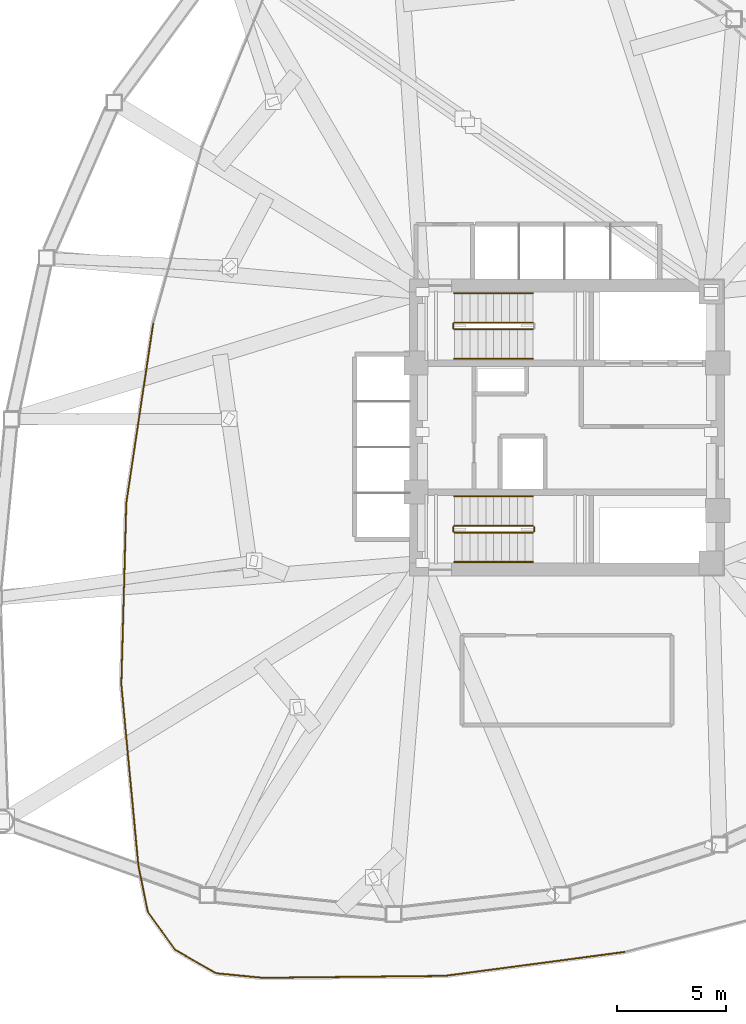
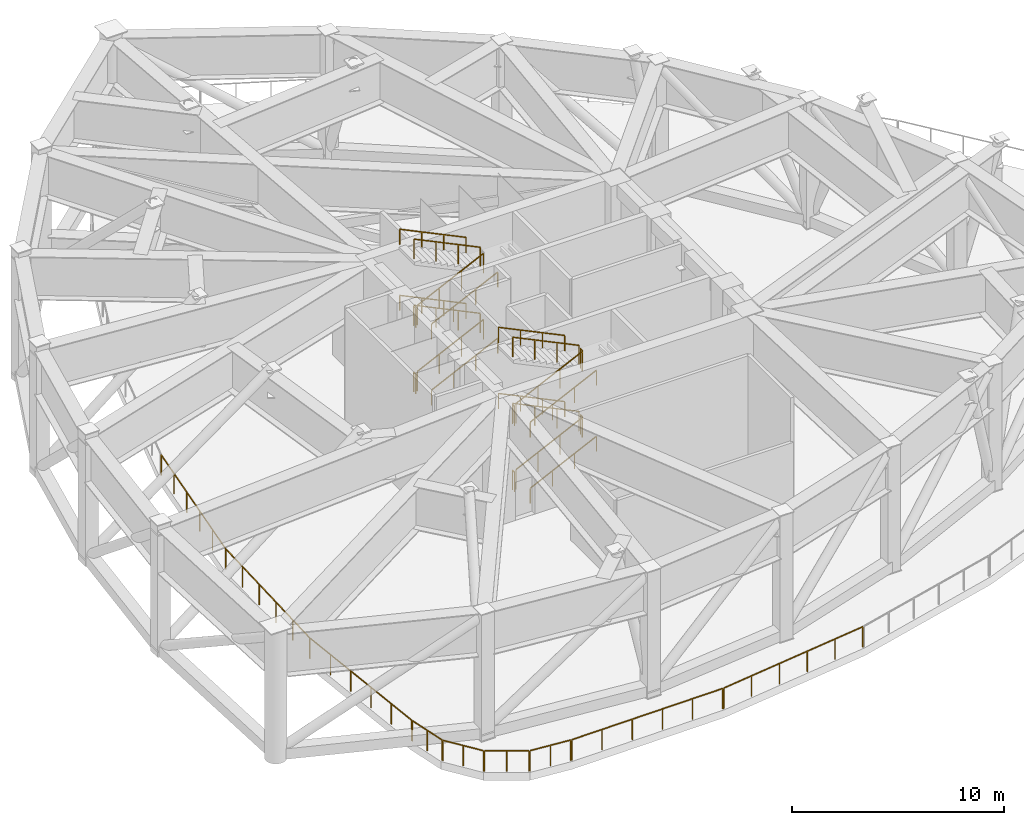
# One storey, part 6 of 8: 31 railings.
"""IFC4 building model written with IfcOpenShell, lengths in metres."""

from ifc_helpers import new_model, si_unit, direction, frame, origin, origin_2d, place, context, subcontext, project, spatial, rectangle, extrude, material, type_object, element, save


model = new_model("IFC4")

# Units and contexts
model_context = context("Model", 3, precision=1e-05, world=origin(), true_north=direction((0.0, 1.0)))
body_context = subcontext(model_context, "Body", "Model", "MODEL_VIEW")
ifc_project = project(units=[si_unit("LENGTHUNIT", "METRE"), si_unit("AREAUNIT", "SQUARE_METRE"), si_unit("VOLUMEUNIT", "CUBIC_METRE"), si_unit("PLANEANGLEUNIT", "RADIAN"), si_unit("MASSUNIT", "GRAM", prefix="KILO")], contexts=[model_context])

# Site, building, storey
site_placement = place(None, origin())
site = spatial("IfcSite", under=ifc_project, at=site_placement, CompositionType="ELEMENT")
building_placement = place(site_placement, origin())
building = spatial("IfcBuilding", under=site, at=building_placement, Name="Tavelor Broadcast Tower", CompositionType="ELEMENT")
storey_placement = place(building_placement, frame((0.0, 0.0, 102.800048828125)))
storey = spatial("IfcBuildingStorey", under=building, at=storey_placement, Name="L24", CompositionType="ELEMENT", Elevation=102.800048828125)

# Railings
ifc_material = material(Name="Steel S355", Category="steel")
railing_type_1 = type_object("IfcRailingType", Name="Continuous Brushed Stainless Handrail 900 mm", PredefinedType="HANDRAIL", material=ifc_material)
railing_1_placement = place(storey_placement, frame((44.85009765625, 48.14990234375, 0.172607421875)))
element("IfcRailing", 1, at=railing_1_placement, inside=storey, type_object=railing_type_1, Name="L24 ST1 stair handrail 1", PredefinedType="HANDRAIL", context=body_context, shape_type="SweptSolid", body=[
    extrude(rectangle(XDim=0.048095703125, YDim=0.048095703125, at=origin_2d()), frame((0.0, 0.0, 0.8759765625), z_axis=(0.901585067986, 0.0, 0.432601855273), x_axis=(0.0, 1.0, 0.0)), (0.0, 0.0, 1.0), 3.992919921875),
    extrude(rectangle(XDim=0.0419921875, YDim=0.0419921875, at=origin_2d()), origin(), (0.0, 0.0, 1.0), 0.851806640625),
    extrude(rectangle(XDim=0.0419921875, YDim=0.0419921875, at=origin_2d()), frame((1.199951171875, 0.0, 0.57568359375)), (0.0, 0.0, 1.0), 0.851806640625),
    extrude(rectangle(XDim=0.0419921875, YDim=0.0419921875, at=origin_2d()), frame((2.39990234375, 0.0, 1.151611328125)), (0.0, 0.0, 1.0), 0.851806640625),
    extrude(rectangle(XDim=0.0419921875, YDim=0.0419921875, at=origin_2d()), frame((3.599853515625, 0.0, 1.727294921875)), (0.0, 0.0, 1.0), 0.851806640625),
])
railing_2_placement = place(storey_placement, frame((48.449951171875, 51.14990234375, 2.07275390625)))
element("IfcRailing", 2, at=railing_2_placement, inside=storey, type_object=railing_type_1, Name="L24 ST1 stair handrail 2", PredefinedType="HANDRAIL", context=body_context, shape_type="SweptSolid", body=[
    extrude(rectangle(XDim=0.048095703125, YDim=0.048095703125, at=origin_2d()), frame((0.0, 0.0, 0.8759765625), z_axis=(-0.901585067986, 0.0, 0.432601855273), x_axis=(0.0, -1.0, 0.0)), (0.0, 0.0, 1.0), 3.992919921875),
    extrude(rectangle(XDim=0.0419921875, YDim=0.0419921875, at=origin_2d()), origin(), (0.0, 0.0, 1.0), 0.851806640625),
    extrude(rectangle(XDim=0.0419921875, YDim=0.0419921875, at=origin_2d()), frame((-1.199951171875, 0.0, 0.57568359375)), (0.0, 0.0, 1.0), 0.851806640625),
    extrude(rectangle(XDim=0.0419921875, YDim=0.0419921875, at=origin_2d()), frame((-2.39990234375, 0.0, 1.151611328125)), (0.0, 0.0, 1.0), 0.851806640625),
    extrude(rectangle(XDim=0.0419921875, YDim=0.0419921875, at=origin_2d()), frame((-3.599853515625, 0.0, 1.727294921875)), (0.0, 0.0, 1.0), 0.851806640625),
])
railing_3_placement = place(storey_placement, frame((44.85009765625, 48.14990234375, 3.97265625)))
element("IfcRailing", 3, at=railing_3_placement, inside=storey, type_object=railing_type_1, Name="L24 ST1 stair handrail 3", PredefinedType="HANDRAIL", context=body_context, shape_type="SweptSolid", body=[
    extrude(rectangle(XDim=0.048095703125, YDim=0.048095703125, at=origin_2d()), frame((0.0, 0.0, 0.8759765625), z_axis=(0.901585067986, 0.0, 0.432601855273), x_axis=(0.0, 1.0, 0.0)), (0.0, 0.0, 1.0), 3.992919921875),
    extrude(rectangle(XDim=0.0419921875, YDim=0.0419921875, at=origin_2d()), origin(), (0.0, 0.0, 1.0), 0.851806640625),
    extrude(rectangle(XDim=0.0419921875, YDim=0.0419921875, at=origin_2d()), frame((1.199951171875, 0.0, 0.57568359375)), (0.0, 0.0, 1.0), 0.851806640625),
    extrude(rectangle(XDim=0.0419921875, YDim=0.0419921875, at=origin_2d()), frame((2.39990234375, 0.0, 1.151611328125)), (0.0, 0.0, 1.0), 0.851806640625),
    extrude(rectangle(XDim=0.0419921875, YDim=0.0419921875, at=origin_2d()), frame((3.599853515625, 0.0, 1.727294921875)), (0.0, 0.0, 1.0), 0.851806640625),
])
railing_4_placement = place(storey_placement, frame((48.449951171875, 51.14990234375, 5.87255859375)))
element("IfcRailing", 4, at=railing_4_placement, inside=storey, type_object=railing_type_1, Name="L24 ST1 stair handrail 4", PredefinedType="HANDRAIL", context=body_context, shape_type="SweptSolid", body=[
    extrude(rectangle(XDim=0.048095703125, YDim=0.048095703125, at=origin_2d()), frame((0.0, 0.0, 0.8759765625), z_axis=(-0.901585067986, 0.0, 0.432601855273), x_axis=(0.0, -1.0, 0.0)), (0.0, 0.0, 1.0), 3.992919921875),
    extrude(rectangle(XDim=0.0419921875, YDim=0.0419921875, at=origin_2d()), origin(), (0.0, 0.0, 1.0), 0.851806640625),
    extrude(rectangle(XDim=0.0419921875, YDim=0.0419921875, at=origin_2d()), frame((-1.199951171875, 0.0, 0.57568359375)), (0.0, 0.0, 1.0), 0.851806640625),
    extrude(rectangle(XDim=0.0419921875, YDim=0.0419921875, at=origin_2d()), frame((-2.39990234375, 0.0, 1.151611328125)), (0.0, 0.0, 1.0), 0.851806640625),
    extrude(rectangle(XDim=0.0419921875, YDim=0.0419921875, at=origin_2d()), frame((-3.599853515625, 0.0, 1.727294921875)), (0.0, 0.0, 1.0), 0.851806640625),
])
railing_5_placement = place(storey_placement, frame((44.85009765625, 38.85009765625, 0.172607421875)))
element("IfcRailing", 5, at=railing_5_placement, inside=storey, type_object=railing_type_1, Name="L24 ST2 stair handrail 1", PredefinedType="HANDRAIL", context=body_context, shape_type="SweptSolid", body=[
    extrude(rectangle(XDim=0.048095703125, YDim=0.048095703125, at=origin_2d()), frame((0.0, 0.0, 0.8759765625), z_axis=(0.901585067986, 0.0, 0.432601855273), x_axis=(0.0, 1.0, 0.0)), (0.0, 0.0, 1.0), 3.992919921875),
    extrude(rectangle(XDim=0.0419921875, YDim=0.0419921875, at=origin_2d()), origin(), (0.0, 0.0, 1.0), 0.851806640625),
    extrude(rectangle(XDim=0.0419921875, YDim=0.0419921875, at=origin_2d()), frame((1.199951171875, 0.0, 0.57568359375)), (0.0, 0.0, 1.0), 0.851806640625),
    extrude(rectangle(XDim=0.0419921875, YDim=0.0419921875, at=origin_2d()), frame((2.39990234375, 0.0, 1.151611328125)), (0.0, 0.0, 1.0), 0.851806640625),
    extrude(rectangle(XDim=0.0419921875, YDim=0.0419921875, at=origin_2d()), frame((3.599853515625, 0.0, 1.727294921875)), (0.0, 0.0, 1.0), 0.851806640625),
])
railing_6_placement = place(storey_placement, frame((48.449951171875, 41.85009765625, 2.07275390625)))
element("IfcRailing", 6, at=railing_6_placement, inside=storey, type_object=railing_type_1, Name="L24 ST2 stair handrail 2", PredefinedType="HANDRAIL", context=body_context, shape_type="SweptSolid", body=[
    extrude(rectangle(XDim=0.048095703125, YDim=0.048095703125, at=origin_2d()), frame((0.0, 0.0, 0.8759765625), z_axis=(-0.901585067986, 0.0, 0.432601855273), x_axis=(0.0, -1.0, 0.0)), (0.0, 0.0, 1.0), 3.992919921875),
    extrude(rectangle(XDim=0.0419921875, YDim=0.0419921875, at=origin_2d()), origin(), (0.0, 0.0, 1.0), 0.851806640625),
    extrude(rectangle(XDim=0.0419921875, YDim=0.0419921875, at=origin_2d()), frame((-1.199951171875, 0.0, 0.57568359375)), (0.0, 0.0, 1.0), 0.851806640625),
    extrude(rectangle(XDim=0.0419921875, YDim=0.0419921875, at=origin_2d()), frame((-2.39990234375, 0.0, 1.151611328125)), (0.0, 0.0, 1.0), 0.851806640625),
    extrude(rectangle(XDim=0.0419921875, YDim=0.0419921875, at=origin_2d()), frame((-3.599853515625, 0.0, 1.727294921875)), (0.0, 0.0, 1.0), 0.851806640625),
])
railing_7_placement = place(storey_placement, frame((44.85009765625, 38.85009765625, 3.97265625)))
element("IfcRailing", 7, at=railing_7_placement, inside=storey, type_object=railing_type_1, Name="L24 ST2 stair handrail 3", PredefinedType="HANDRAIL", context=body_context, shape_type="SweptSolid", body=[
    extrude(rectangle(XDim=0.048095703125, YDim=0.048095703125, at=origin_2d()), frame((0.0, 0.0, 0.8759765625), z_axis=(0.901585067986, 0.0, 0.432601855273), x_axis=(0.0, 1.0, 0.0)), (0.0, 0.0, 1.0), 3.992919921875),
    extrude(rectangle(XDim=0.0419921875, YDim=0.0419921875, at=origin_2d()), origin(), (0.0, 0.0, 1.0), 0.851806640625),
    extrude(rectangle(XDim=0.0419921875, YDim=0.0419921875, at=origin_2d()), frame((1.199951171875, 0.0, 0.57568359375)), (0.0, 0.0, 1.0), 0.851806640625),
    extrude(rectangle(XDim=0.0419921875, YDim=0.0419921875, at=origin_2d()), frame((2.39990234375, 0.0, 1.151611328125)), (0.0, 0.0, 1.0), 0.851806640625),
    extrude(rectangle(XDim=0.0419921875, YDim=0.0419921875, at=origin_2d()), frame((3.599853515625, 0.0, 1.727294921875)), (0.0, 0.0, 1.0), 0.851806640625),
])
railing_8_placement = place(storey_placement, frame((48.449951171875, 41.85009765625, 5.87255859375)))
element("IfcRailing", 8, at=railing_8_placement, inside=storey, type_object=railing_type_1, Name="L24 ST2 stair handrail 4", PredefinedType="HANDRAIL", context=body_context, shape_type="SweptSolid", body=[
    extrude(rectangle(XDim=0.048095703125, YDim=0.048095703125, at=origin_2d()), frame((0.0, 0.0, 0.8759765625), z_axis=(-0.901585067986, 0.0, 0.432601855273), x_axis=(0.0, -1.0, 0.0)), (0.0, 0.0, 1.0), 3.992919921875),
    extrude(rectangle(XDim=0.0419921875, YDim=0.0419921875, at=origin_2d()), origin(), (0.0, 0.0, 1.0), 0.851806640625),
    extrude(rectangle(XDim=0.0419921875, YDim=0.0419921875, at=origin_2d()), frame((-1.199951171875, 0.0, 0.57568359375)), (0.0, 0.0, 1.0), 0.851806640625),
    extrude(rectangle(XDim=0.0419921875, YDim=0.0419921875, at=origin_2d()), frame((-2.39990234375, 0.0, 1.151611328125)), (0.0, 0.0, 1.0), 0.851806640625),
    extrude(rectangle(XDim=0.0419921875, YDim=0.0419921875, at=origin_2d()), frame((-3.599853515625, 0.0, 1.727294921875)), (0.0, 0.0, 1.0), 0.851806640625),
])
railing_type_2 = type_object("IfcRailingType", Name="Open Wind Floor Perimeter Safety Guardrail 1200 mm", PredefinedType="GUARDRAIL", material=ifc_material)
railing_9_placement = place(storey_placement, frame((52.6328125, 21.01318359375, 0.0)))
element("IfcRailing", 9, at=railing_9_placement, inside=storey, type_object=railing_type_2, Name="L24 Open Wind Floor Perimeter Guardrail 15", PredefinedType="GUARDRAIL", context=body_context, shape_type="SweptSolid", body=[
    extrude(rectangle(XDim=0.048095703125, YDim=0.048095703125, at=origin_2d()), frame((0.0, 0.0, 1.17578125), z_axis=(-0.991276376811, -0.131799638755, 0.0), x_axis=(0.131799638755, -0.991276376811, 0.0)), (0.0, 0.0, 1.0), 8.2578125),
    extrude(rectangle(XDim=0.0419921875, YDim=0.0419921875, at=origin_2d()), origin(), (0.0, 0.0, 1.0), 1.15185546875),
    extrude(rectangle(XDim=0.0419921875, YDim=0.0419921875, at=origin_2d()), frame((-1.63720703125, -0.2177734375, 0.0)), (0.0, 0.0, 1.0), 1.15185546875),
    extrude(rectangle(XDim=0.0419921875, YDim=0.0419921875, at=origin_2d()), frame((-3.2744140625, -0.435302734375, 0.0)), (0.0, 0.0, 1.0), 1.15185546875),
    extrude(rectangle(XDim=0.0419921875, YDim=0.0419921875, at=origin_2d()), frame((-4.911376953125, -0.653076171875, 0.0)), (0.0, 0.0, 1.0), 1.15185546875),
    extrude(rectangle(XDim=0.0419921875, YDim=0.0419921875, at=origin_2d()), frame((-6.548583984375, -0.87060546875, 0.0)), (0.0, 0.0, 1.0), 1.15185546875),
    extrude(rectangle(XDim=0.0419921875, YDim=0.0419921875, at=origin_2d()), frame((-8.185791015625, -1.08837890625, 0.0)), (0.0, 0.0, 1.0), 1.15185546875),
])
railing_10_placement = place(storey_placement, frame((44.38720703125, 19.92041015625, 0.0)))
element("IfcRailing", 10, at=railing_10_placement, inside=storey, type_object=railing_type_2, Name="L24 Open Wind Floor Perimeter Guardrail 16", PredefinedType="GUARDRAIL", context=body_context, shape_type="SweptSolid", body=[
    extrude(rectangle(XDim=0.048095703125, YDim=0.048095703125, at=origin_2d()), frame((0.0, 0.0, 1.17578125), z_axis=(-0.999941144347, -0.010849324463, 0.0), x_axis=(0.010849324463, -0.999941144347, 0.0)), (0.0, 0.0, 1.0), 8.258544921875),
    extrude(rectangle(XDim=0.0419921875, YDim=0.0419921875, at=origin_2d()), origin(), (0.0, 0.0, 1.0), 1.15185546875),
    extrude(rectangle(XDim=0.0419921875, YDim=0.0419921875, at=origin_2d()), frame((-1.651611328125, -0.017822265625, 0.0)), (0.0, 0.0, 1.0), 1.15185546875),
    extrude(rectangle(XDim=0.0419921875, YDim=0.0419921875, at=origin_2d()), frame((-3.30322265625, -0.035888671875, 0.0)), (0.0, 0.0, 1.0), 1.15185546875),
    extrude(rectangle(XDim=0.0419921875, YDim=0.0419921875, at=origin_2d()), frame((-4.954833984375, -0.0537109375, 0.0)), (0.0, 0.0, 1.0), 1.15185546875),
    extrude(rectangle(XDim=0.0419921875, YDim=0.0419921875, at=origin_2d()), frame((-6.6064453125, -0.07177734375, 0.0)), (0.0, 0.0, 1.0), 1.15185546875),
    extrude(rectangle(XDim=0.0419921875, YDim=0.0419921875, at=origin_2d()), frame((-8.258056640625, -0.089599609375, 0.0)), (0.0, 0.0, 1.0), 1.15185546875),
])
railing_11_placement = place(storey_placement, frame((36.069091796875, 19.833251953125, 0.0)))
element("IfcRailing", 11, at=railing_11_placement, inside=storey, type_object=railing_type_2, Name="L24 Open Wind Floor Perimeter Guardrail 17", PredefinedType="GUARDRAIL", context=body_context, shape_type="SweptSolid", body=[
    extrude(rectangle(XDim=0.048095703125, YDim=0.048095703125, at=origin_2d()), frame((0.0, 0.0, 1.17578125), z_axis=(-0.995317258019, 0.096662070582, 0.0), x_axis=(-0.096662070582, -0.995317258019, 0.0)), (0.0, 0.0, 1.0), 2.101318359375),
    extrude(rectangle(XDim=0.0419921875, YDim=0.0419921875, at=origin_2d()), origin(), (0.0, 0.0, 1.0), 1.15185546875),
    extrude(rectangle(XDim=0.0419921875, YDim=0.0419921875, at=origin_2d()), frame((-1.0458984375, 0.1015625, 0.0)), (0.0, 0.0, 1.0), 1.15185546875),
    extrude(rectangle(XDim=0.0419921875, YDim=0.0419921875, at=origin_2d()), frame((-2.091552734375, 0.203125, 0.0)), (0.0, 0.0, 1.0), 1.15185546875),
])
railing_12_placement = place(storey_placement, frame((33.921630859375, 20.05419921875, 0.0)))
element("IfcRailing", 12, at=railing_12_placement, inside=storey, type_object=railing_type_2, Name="L24 Open Wind Floor Perimeter Guardrail 18", PredefinedType="GUARDRAIL", context=body_context, shape_type="SweptSolid", body=[
    extrude(rectangle(XDim=0.048095703125, YDim=0.048095703125, at=origin_2d()), frame((0.0, 0.0, 1.17578125), z_axis=(-0.867319546575, 0.497751749499, 0.0), x_axis=(-0.497751749499, -0.867319546575, 0.0)), (0.0, 0.0, 1.0), 2.08544921875),
    extrude(rectangle(XDim=0.0419921875, YDim=0.0419921875, at=origin_2d()), origin(), (0.0, 0.0, 1.0), 1.15185546875),
    extrude(rectangle(XDim=0.0419921875, YDim=0.0419921875, at=origin_2d()), frame((-0.904296875, 0.51904296875, 0.0)), (0.0, 0.0, 1.0), 1.15185546875),
    extrude(rectangle(XDim=0.0419921875, YDim=0.0419921875, at=origin_2d()), frame((-1.808837890625, 1.0380859375, 0.0)), (0.0, 0.0, 1.0), 1.15185546875),
])
railing_13_placement = place(storey_placement, frame((32.0693359375, 21.131591796875, 0.0)))
element("IfcRailing", 13, at=railing_13_placement, inside=storey, type_object=railing_type_2, Name="L24 Open Wind Floor Perimeter Guardrail 19", PredefinedType="GUARDRAIL", context=body_context, shape_type="SweptSolid", body=[
    extrude(rectangle(XDim=0.048095703125, YDim=0.048095703125, at=origin_2d()), frame((0.0, 0.0, 1.17578125), z_axis=(-0.585670053104, 0.810549559803, 0.0), x_axis=(-0.810549559803, -0.585670053104, 0.0)), (0.0, 0.0, 1.0), 2.08544921875),
    extrude(rectangle(XDim=0.0419921875, YDim=0.0419921875, at=origin_2d()), origin(), (0.0, 0.0, 1.0), 1.15185546875),
    extrude(rectangle(XDim=0.0419921875, YDim=0.0419921875, at=origin_2d()), frame((-0.61083984375, 0.84521484375, 0.0)), (0.0, 0.0, 1.0), 1.15185546875),
    extrude(rectangle(XDim=0.0419921875, YDim=0.0419921875, at=origin_2d()), frame((-1.221435546875, 1.6904296875, 0.0)), (0.0, 0.0, 1.0), 1.15185546875),
])
railing_14_placement = place(storey_placement, frame((30.824462890625, 22.87548828125, 0.0)))
element("IfcRailing", 14, at=railing_14_placement, inside=storey, type_object=railing_type_2, Name="L24 Open Wind Floor Perimeter Guardrail 20", PredefinedType="GUARDRAIL", context=body_context, shape_type="SweptSolid", body=[
    extrude(rectangle(XDim=0.048095703125, YDim=0.048095703125, at=origin_2d()), frame((0.0, 0.0, 1.17578125), z_axis=(-0.200269529285, 0.97974084106, 0.0), x_axis=(-0.97974084106, -0.200269529285, 0.0)), (0.0, 0.0, 1.0), 2.1015625),
    extrude(rectangle(XDim=0.0419921875, YDim=0.0419921875, at=origin_2d()), origin(), (0.0, 0.0, 1.0), 1.15185546875),
    extrude(rectangle(XDim=0.0419921875, YDim=0.0419921875, at=origin_2d()), frame((-0.21044921875, 1.029541015625, 0.0)), (0.0, 0.0, 1.0), 1.15185546875),
    extrude(rectangle(XDim=0.0419921875, YDim=0.0419921875, at=origin_2d()), frame((-0.4208984375, 2.05908203125, 0.0)), (0.0, 0.0, 1.0), 1.15185546875),
])
railing_15_placement = place(storey_placement, frame((30.394775390625, 24.993896484375, 0.0)))
element("IfcRailing", 15, at=railing_15_placement, inside=storey, type_object=railing_type_2, Name="L24 Open Wind Floor Perimeter Guardrail 21", PredefinedType="GUARDRAIL", context=body_context, shape_type="SweptSolid", body=[
    extrude(rectangle(XDim=0.048095703125, YDim=0.048095703125, at=origin_2d()), frame((0.0, 0.0, 1.17578125), z_axis=(-0.093709748033, 0.995599559624, 0.0), x_axis=(-0.995599559624, -0.093709748033, 0.0)), (0.0, 0.0, 1.0), 8.2587890625),
    extrude(rectangle(XDim=0.0419921875, YDim=0.0419921875, at=origin_2d()), origin(), (0.0, 0.0, 1.0), 1.15185546875),
    extrude(rectangle(XDim=0.0419921875, YDim=0.0419921875, at=origin_2d()), frame((-0.15478515625, 1.64453125, 0.0)), (0.0, 0.0, 1.0), 1.15185546875),
    extrude(rectangle(XDim=0.0419921875, YDim=0.0419921875, at=origin_2d()), frame((-0.3095703125, 3.2890625, 0.0)), (0.0, 0.0, 1.0), 1.15185546875),
    extrude(rectangle(XDim=0.0419921875, YDim=0.0419921875, at=origin_2d()), frame((-0.46435546875, 4.933349609375, 0.0)), (0.0, 0.0, 1.0), 1.15185546875),
    extrude(rectangle(XDim=0.0419921875, YDim=0.0419921875, at=origin_2d()), frame((-0.619140625, 6.577880859375, 0.0)), (0.0, 0.0, 1.0), 1.15185546875),
    extrude(rectangle(XDim=0.0419921875, YDim=0.0419921875, at=origin_2d()), frame((-0.77392578125, 8.222412109375, 0.0)), (0.0, 0.0, 1.0), 1.15185546875),
])
railing_16_placement = place(storey_placement, frame((29.618896484375, 33.27587890625, 0.0)))
element("IfcRailing", 16, at=railing_16_placement, inside=storey, type_object=railing_type_2, Name="L24 Open Wind Floor Perimeter Guardrail 22", PredefinedType="GUARDRAIL", context=body_context, shape_type="SweptSolid", body=[
    extrude(rectangle(XDim=0.048095703125, YDim=0.048095703125, at=origin_2d()), frame((0.0, 0.0, 1.17578125), z_axis=(0.027465087754, 0.999622763324, 0.0), x_axis=(-0.999622763324, 0.027465087754, 0.0)), (0.0, 0.0, 1.0), 8.258056640625),
    extrude(rectangle(XDim=0.0419921875, YDim=0.0419921875, at=origin_2d()), origin(), (0.0, 0.0, 1.0), 1.15185546875),
    extrude(rectangle(XDim=0.0419921875, YDim=0.0419921875, at=origin_2d()), frame((0.04541015625, 1.65087890625, 0.0)), (0.0, 0.0, 1.0), 1.15185546875),
    extrude(rectangle(XDim=0.0419921875, YDim=0.0419921875, at=origin_2d()), frame((0.0908203125, 3.302001953125, 0.0)), (0.0, 0.0, 1.0), 1.15185546875),
    extrude(rectangle(XDim=0.0419921875, YDim=0.0419921875, at=origin_2d()), frame((0.135986328125, 4.952880859375, 0.0)), (0.0, 0.0, 1.0), 1.15185546875),
    extrude(rectangle(XDim=0.0419921875, YDim=0.0419921875, at=origin_2d()), frame((0.181396484375, 6.60400390625, 0.0)), (0.0, 0.0, 1.0), 1.15185546875),
    extrude(rectangle(XDim=0.0419921875, YDim=0.0419921875, at=origin_2d()), frame((0.226806640625, 8.2548828125, 0.0)), (0.0, 0.0, 1.0), 1.15185546875),
])
railing_17_placement = place(storey_placement, frame((29.85107421875, 41.590576171875, 0.0)))
element("IfcRailing", 17, at=railing_17_placement, inside=storey, type_object=railing_type_2, Name="L24 Open Wind Floor Perimeter Guardrail 23", PredefinedType="GUARDRAIL", context=body_context, shape_type="SweptSolid", body=[
    extrude(rectangle(XDim=0.048095703125, YDim=0.048095703125, at=origin_2d()), frame((0.0, 0.0, 1.17578125), z_axis=(0.148239251431, 0.988951527799, 0.0), x_axis=(-0.988951527799, 0.148239251431, 0.0)), (0.0, 0.0, 1.0), 8.2578125),
    extrude(rectangle(XDim=0.0419921875, YDim=0.0419921875, at=origin_2d()), origin(), (0.0, 0.0, 1.0), 1.15185546875),
    extrude(rectangle(XDim=0.0419921875, YDim=0.0419921875, at=origin_2d()), frame((0.244873046875, 1.63330078125, 0.0)), (0.0, 0.0, 1.0), 1.15185546875),
    extrude(rectangle(XDim=0.0419921875, YDim=0.0419921875, at=origin_2d()), frame((0.48974609375, 3.2666015625, 0.0)), (0.0, 0.0, 1.0), 1.15185546875),
    extrude(rectangle(XDim=0.0419921875, YDim=0.0419921875, at=origin_2d()), frame((0.734375, 4.89990234375, 0.0)), (0.0, 0.0, 1.0), 1.15185546875),
    extrude(rectangle(XDim=0.0419921875, YDim=0.0419921875, at=origin_2d()), frame((0.979248046875, 6.533203125, 0.0)), (0.0, 0.0, 1.0), 1.15185546875),
    extrude(rectangle(XDim=0.0419921875, YDim=0.0419921875, at=origin_2d()), frame((1.22412109375, 8.16650390625, 0.0)), (0.0, 0.0, 1.0), 1.15185546875),
])
railing_type_3 = type_object("IfcRailingType", Name="Stairwell Steel Safety Guardrail 1150 mm", PredefinedType="GUARDRAIL", material=ifc_material)
railing_18_placement = place(storey_placement, frame((44.85009765625, 49.5, 0.172607421875)))
element("IfcRailing", 18, at=railing_18_placement, inside=storey, type_object=railing_type_3, Name="L24 ST1 stair guard 1", PredefinedType="GUARDRAIL", context=body_context, shape_type="SweptSolid", body=[
    extrude(rectangle(XDim=0.048095703125, YDim=0.048095703125, at=origin_2d()), frame((0.0, 0.0, 1.1259765625), z_axis=(0.901585067986, 0.0, 0.432601855273), x_axis=(0.0, 1.0, 0.0)), (0.0, 0.0, 1.0), 3.992919921875),
    extrude(rectangle(XDim=0.0419921875, YDim=0.0419921875, at=origin_2d()), origin(), (0.0, 0.0, 1.0), 1.101806640625),
    extrude(rectangle(XDim=0.0419921875, YDim=0.0419921875, at=origin_2d()), frame((1.199951171875, 0.0, 0.57568359375)), (0.0, 0.0, 1.0), 1.101806640625),
    extrude(rectangle(XDim=0.0419921875, YDim=0.0419921875, at=origin_2d()), frame((2.39990234375, 0.0, 1.151611328125)), (0.0, 0.0, 1.0), 1.101806640625),
    extrude(rectangle(XDim=0.0419921875, YDim=0.0419921875, at=origin_2d()), frame((3.599853515625, 0.0, 1.727294921875)), (0.0, 0.0, 1.0), 1.101806640625),
])
railing_19_placement = place(storey_placement, frame((48.449951171875, 49.800048828125, 2.07275390625)))
element("IfcRailing", 19, at=railing_19_placement, inside=storey, type_object=railing_type_3, Name="L24 ST1 stair guard 3", PredefinedType="GUARDRAIL", context=body_context, shape_type="SweptSolid", body=[
    extrude(rectangle(XDim=0.048095703125, YDim=0.048095703125, at=origin_2d()), frame((0.0, 0.0, 1.1259765625), z_axis=(-0.901585067986, 0.0, 0.432601855273), x_axis=(0.0, -1.0, 0.0)), (0.0, 0.0, 1.0), 3.992919921875),
    extrude(rectangle(XDim=0.0419921875, YDim=0.0419921875, at=origin_2d()), origin(), (0.0, 0.0, 1.0), 1.101806640625),
    extrude(rectangle(XDim=0.0419921875, YDim=0.0419921875, at=origin_2d()), frame((-1.199951171875, 0.0, 0.57568359375)), (0.0, 0.0, 1.0), 1.101806640625),
    extrude(rectangle(XDim=0.0419921875, YDim=0.0419921875, at=origin_2d()), frame((-2.39990234375, 0.0, 1.151611328125)), (0.0, 0.0, 1.0), 1.101806640625),
    extrude(rectangle(XDim=0.0419921875, YDim=0.0419921875, at=origin_2d()), frame((-3.599853515625, 0.0, 1.727294921875)), (0.0, 0.0, 1.0), 1.101806640625),
])
railing_20_placement = place(storey_placement, frame((44.800048828125, 49.550048828125, 3.800048828125)))
element("IfcRailing", 20, at=railing_20_placement, inside=storey, type_object=railing_type_3, Name="L24 ST1 stair guard 4", PredefinedType="GUARDRAIL", context=body_context, shape_type="SweptSolid", body=[
    extrude(rectangle(XDim=0.048095703125, YDim=0.048095703125, at=origin_2d()), frame((0.0, 0.0, 1.1259765625), z_axis=(0.0, 1.0, 0.0), x_axis=(-1.0, 0.0, 0.0)), (0.0, 0.0, 1.0), 0.199951171875),
    extrude(rectangle(XDim=0.0419921875, YDim=0.0419921875, at=origin_2d()), origin(), (0.0, 0.0, 1.0), 1.101806640625),
    extrude(rectangle(XDim=0.0419921875, YDim=0.0419921875, at=origin_2d()), frame((0.0, 0.199951171875, 0.0)), (0.0, 0.0, 1.0), 1.101806640625),
])
railing_21_placement = place(storey_placement, frame((44.85009765625, 49.5, 3.97265625)))
element("IfcRailing", 21, at=railing_21_placement, inside=storey, type_object=railing_type_3, Name="L24 ST1 stair guard 5", PredefinedType="GUARDRAIL", context=body_context, shape_type="SweptSolid", body=[
    extrude(rectangle(XDim=0.048095703125, YDim=0.048095703125, at=origin_2d()), frame((0.0, 0.0, 1.1259765625), z_axis=(0.901585067986, 0.0, 0.432601855273), x_axis=(0.0, 1.0, 0.0)), (0.0, 0.0, 1.0), 3.992919921875),
    extrude(rectangle(XDim=0.0419921875, YDim=0.0419921875, at=origin_2d()), origin(), (0.0, 0.0, 1.0), 1.101806640625),
    extrude(rectangle(XDim=0.0419921875, YDim=0.0419921875, at=origin_2d()), frame((1.199951171875, 0.0, 0.57568359375)), (0.0, 0.0, 1.0), 1.101806640625),
    extrude(rectangle(XDim=0.0419921875, YDim=0.0419921875, at=origin_2d()), frame((2.39990234375, 0.0, 1.151611328125)), (0.0, 0.0, 1.0), 1.101806640625),
    extrude(rectangle(XDim=0.0419921875, YDim=0.0419921875, at=origin_2d()), frame((3.599853515625, 0.0, 1.727294921875)), (0.0, 0.0, 1.0), 1.101806640625),
])
railing_22_placement = place(storey_placement, frame((48.449951171875, 49.800048828125, 5.87255859375)))
element("IfcRailing", 22, at=railing_22_placement, inside=storey, type_object=railing_type_3, Name="L24 ST1 stair guard 7", PredefinedType="GUARDRAIL", context=body_context, shape_type="SweptSolid", body=[
    extrude(rectangle(XDim=0.048095703125, YDim=0.048095703125, at=origin_2d()), frame((0.0, 0.0, 1.1259765625), z_axis=(-0.901585067986, 0.0, 0.432601855273), x_axis=(0.0, -1.0, 0.0)), (0.0, 0.0, 1.0), 3.992919921875),
    extrude(rectangle(XDim=0.0419921875, YDim=0.0419921875, at=origin_2d()), origin(), (0.0, 0.0, 1.0), 1.101806640625),
    extrude(rectangle(XDim=0.0419921875, YDim=0.0419921875, at=origin_2d()), frame((-1.199951171875, 0.0, 0.57568359375)), (0.0, 0.0, 1.0), 1.101806640625),
    extrude(rectangle(XDim=0.0419921875, YDim=0.0419921875, at=origin_2d()), frame((-2.39990234375, 0.0, 1.151611328125)), (0.0, 0.0, 1.0), 1.101806640625),
    extrude(rectangle(XDim=0.0419921875, YDim=0.0419921875, at=origin_2d()), frame((-3.599853515625, 0.0, 1.727294921875)), (0.0, 0.0, 1.0), 1.101806640625),
])
railing_23_placement = place(storey_placement, frame((44.800048828125, 49.550048828125, 0.0)))
element("IfcRailing", 23, at=railing_23_placement, inside=storey, type_object=railing_type_3, Name="L24 ST1 stair guard 8", PredefinedType="GUARDRAIL", context=body_context, shape_type="SweptSolid", body=[
    extrude(rectangle(XDim=0.048095703125, YDim=0.048095703125, at=origin_2d()), frame((0.0, 0.0, 1.1259765625), z_axis=(0.0, 1.0, 0.0), x_axis=(-1.0, 0.0, 0.0)), (0.0, 0.0, 1.0), 0.199951171875),
    extrude(rectangle(XDim=0.0419921875, YDim=0.0419921875, at=origin_2d()), origin(), (0.0, 0.0, 1.0), 1.101806640625),
    extrude(rectangle(XDim=0.0419921875, YDim=0.0419921875, at=origin_2d()), frame((0.0, 0.199951171875, 0.0)), (0.0, 0.0, 1.0), 1.101806640625),
])
railing_24_placement = place(storey_placement, frame((44.85009765625, 40.199951171875, 0.172607421875)))
element("IfcRailing", 24, at=railing_24_placement, inside=storey, type_object=railing_type_3, Name="L24 ST2 stair guard 1", PredefinedType="GUARDRAIL", context=body_context, shape_type="SweptSolid", body=[
    extrude(rectangle(XDim=0.048095703125, YDim=0.048095703125, at=origin_2d()), frame((0.0, 0.0, 1.1259765625), z_axis=(0.901585067986, 0.0, 0.432601855273), x_axis=(0.0, 1.0, 0.0)), (0.0, 0.0, 1.0), 3.992919921875),
    extrude(rectangle(XDim=0.0419921875, YDim=0.0419921875, at=origin_2d()), origin(), (0.0, 0.0, 1.0), 1.101806640625),
    extrude(rectangle(XDim=0.0419921875, YDim=0.0419921875, at=origin_2d()), frame((1.199951171875, 0.0, 0.57568359375)), (0.0, 0.0, 1.0), 1.101806640625),
    extrude(rectangle(XDim=0.0419921875, YDim=0.0419921875, at=origin_2d()), frame((2.39990234375, 0.0, 1.151611328125)), (0.0, 0.0, 1.0), 1.101806640625),
    extrude(rectangle(XDim=0.0419921875, YDim=0.0419921875, at=origin_2d()), frame((3.599853515625, 0.0, 1.727294921875)), (0.0, 0.0, 1.0), 1.101806640625),
])
railing_25_placement = place(storey_placement, frame((48.5, 40.25, 1.89990234375)))
element("IfcRailing", 25, at=railing_25_placement, inside=storey, type_object=railing_type_3, Name="L24 ST2 stair guard 2", PredefinedType="GUARDRAIL", context=body_context, shape_type="SweptSolid", body=[
    extrude(rectangle(XDim=0.048095703125, YDim=0.048095703125, at=origin_2d()), frame((0.0, 0.0, 1.1259765625), z_axis=(0.0, 1.0, 0.0), x_axis=(-1.0, 0.0, 0.0)), (0.0, 0.0, 1.0), 0.199951171875),
    extrude(rectangle(XDim=0.0419921875, YDim=0.0419921875, at=origin_2d()), origin(), (0.0, 0.0, 1.0), 1.101806640625),
    extrude(rectangle(XDim=0.0419921875, YDim=0.0419921875, at=origin_2d()), frame((0.0, 0.199951171875, 0.0)), (0.0, 0.0, 1.0), 1.101806640625),
])
railing_26_placement = place(storey_placement, frame((48.449951171875, 40.5, 2.07275390625)))
element("IfcRailing", 26, at=railing_26_placement, inside=storey, type_object=railing_type_3, Name="L24 ST2 stair guard 3", PredefinedType="GUARDRAIL", context=body_context, shape_type="SweptSolid", body=[
    extrude(rectangle(XDim=0.048095703125, YDim=0.048095703125, at=origin_2d()), frame((0.0, 0.0, 1.1259765625), z_axis=(-0.901585067986, 0.0, 0.432601855273), x_axis=(0.0, -1.0, 0.0)), (0.0, 0.0, 1.0), 3.992919921875),
    extrude(rectangle(XDim=0.0419921875, YDim=0.0419921875, at=origin_2d()), origin(), (0.0, 0.0, 1.0), 1.101806640625),
    extrude(rectangle(XDim=0.0419921875, YDim=0.0419921875, at=origin_2d()), frame((-1.199951171875, 0.0, 0.57568359375)), (0.0, 0.0, 1.0), 1.101806640625),
    extrude(rectangle(XDim=0.0419921875, YDim=0.0419921875, at=origin_2d()), frame((-2.39990234375, 0.0, 1.151611328125)), (0.0, 0.0, 1.0), 1.101806640625),
    extrude(rectangle(XDim=0.0419921875, YDim=0.0419921875, at=origin_2d()), frame((-3.599853515625, 0.0, 1.727294921875)), (0.0, 0.0, 1.0), 1.101806640625),
])
railing_27_placement = place(storey_placement, frame((44.800048828125, 40.25, 3.800048828125)))
element("IfcRailing", 27, at=railing_27_placement, inside=storey, type_object=railing_type_3, Name="L24 ST2 stair guard 4", PredefinedType="GUARDRAIL", context=body_context, shape_type="SweptSolid", body=[
    extrude(rectangle(XDim=0.048095703125, YDim=0.048095703125, at=origin_2d()), frame((0.0, 0.0, 1.1259765625), z_axis=(0.0, 1.0, 0.0), x_axis=(-1.0, 0.0, 0.0)), (0.0, 0.0, 1.0), 0.199951171875),
    extrude(rectangle(XDim=0.0419921875, YDim=0.0419921875, at=origin_2d()), origin(), (0.0, 0.0, 1.0), 1.101806640625),
    extrude(rectangle(XDim=0.0419921875, YDim=0.0419921875, at=origin_2d()), frame((0.0, 0.199951171875, 0.0)), (0.0, 0.0, 1.0), 1.101806640625),
])
railing_28_placement = place(storey_placement, frame((44.85009765625, 40.199951171875, 3.97265625)))
element("IfcRailing", 28, at=railing_28_placement, inside=storey, type_object=railing_type_3, Name="L24 ST2 stair guard 5", PredefinedType="GUARDRAIL", context=body_context, shape_type="SweptSolid", body=[
    extrude(rectangle(XDim=0.048095703125, YDim=0.048095703125, at=origin_2d()), frame((0.0, 0.0, 1.1259765625), z_axis=(0.901585067986, 0.0, 0.432601855273), x_axis=(0.0, 1.0, 0.0)), (0.0, 0.0, 1.0), 3.992919921875),
    extrude(rectangle(XDim=0.0419921875, YDim=0.0419921875, at=origin_2d()), origin(), (0.0, 0.0, 1.0), 1.101806640625),
    extrude(rectangle(XDim=0.0419921875, YDim=0.0419921875, at=origin_2d()), frame((1.199951171875, 0.0, 0.57568359375)), (0.0, 0.0, 1.0), 1.101806640625),
    extrude(rectangle(XDim=0.0419921875, YDim=0.0419921875, at=origin_2d()), frame((2.39990234375, 0.0, 1.151611328125)), (0.0, 0.0, 1.0), 1.101806640625),
    extrude(rectangle(XDim=0.0419921875, YDim=0.0419921875, at=origin_2d()), frame((3.599853515625, 0.0, 1.727294921875)), (0.0, 0.0, 1.0), 1.101806640625),
])
railing_29_placement = place(storey_placement, frame((48.5, 40.25, 5.699951171875)))
element("IfcRailing", 29, at=railing_29_placement, inside=storey, type_object=railing_type_3, Name="L24 ST2 stair guard 6", PredefinedType="GUARDRAIL", context=body_context, shape_type="SweptSolid", body=[
    extrude(rectangle(XDim=0.048095703125, YDim=0.048095703125, at=origin_2d()), frame((0.0, 0.0, 1.1259765625), z_axis=(0.0, 1.0, 0.0), x_axis=(-1.0, 0.0, 0.0)), (0.0, 0.0, 1.0), 0.199951171875),
    extrude(rectangle(XDim=0.0419921875, YDim=0.0419921875, at=origin_2d()), origin(), (0.0, 0.0, 1.0), 1.101806640625),
    extrude(rectangle(XDim=0.0419921875, YDim=0.0419921875, at=origin_2d()), frame((0.0, 0.199951171875, 0.0)), (0.0, 0.0, 1.0), 1.101806640625),
])
railing_30_placement = place(storey_placement, frame((48.449951171875, 40.5, 5.87255859375)))
element("IfcRailing", 30, at=railing_30_placement, inside=storey, type_object=railing_type_3, Name="L24 ST2 stair guard 7", PredefinedType="GUARDRAIL", context=body_context, shape_type="SweptSolid", body=[
    extrude(rectangle(XDim=0.048095703125, YDim=0.048095703125, at=origin_2d()), frame((0.0, 0.0, 1.1259765625), z_axis=(-0.901585067986, 0.0, 0.432601855273), x_axis=(0.0, -1.0, 0.0)), (0.0, 0.0, 1.0), 3.992919921875),
    extrude(rectangle(XDim=0.0419921875, YDim=0.0419921875, at=origin_2d()), origin(), (0.0, 0.0, 1.0), 1.101806640625),
    extrude(rectangle(XDim=0.0419921875, YDim=0.0419921875, at=origin_2d()), frame((-1.199951171875, 0.0, 0.57568359375)), (0.0, 0.0, 1.0), 1.101806640625),
    extrude(rectangle(XDim=0.0419921875, YDim=0.0419921875, at=origin_2d()), frame((-2.39990234375, 0.0, 1.151611328125)), (0.0, 0.0, 1.0), 1.101806640625),
    extrude(rectangle(XDim=0.0419921875, YDim=0.0419921875, at=origin_2d()), frame((-3.599853515625, 0.0, 1.727294921875)), (0.0, 0.0, 1.0), 1.101806640625),
])
railing_31_placement = place(storey_placement, frame((44.800048828125, 40.25, 0.0)))
element("IfcRailing", 31, at=railing_31_placement, inside=storey, type_object=railing_type_3, Name="L24 ST2 stair guard 8", PredefinedType="GUARDRAIL", context=body_context, shape_type="SweptSolid", body=[
    extrude(rectangle(XDim=0.048095703125, YDim=0.048095703125, at=origin_2d()), frame((0.0, 0.0, 1.1259765625), z_axis=(0.0, 1.0, 0.0), x_axis=(-1.0, 0.0, 0.0)), (0.0, 0.0, 1.0), 0.199951171875),
    extrude(rectangle(XDim=0.0419921875, YDim=0.0419921875, at=origin_2d()), origin(), (0.0, 0.0, 1.0), 1.101806640625),
    extrude(rectangle(XDim=0.0419921875, YDim=0.0419921875, at=origin_2d()), frame((0.0, 0.199951171875, 0.0)), (0.0, 0.0, 1.0), 1.101806640625),
])

save(model, "model.ifc")
